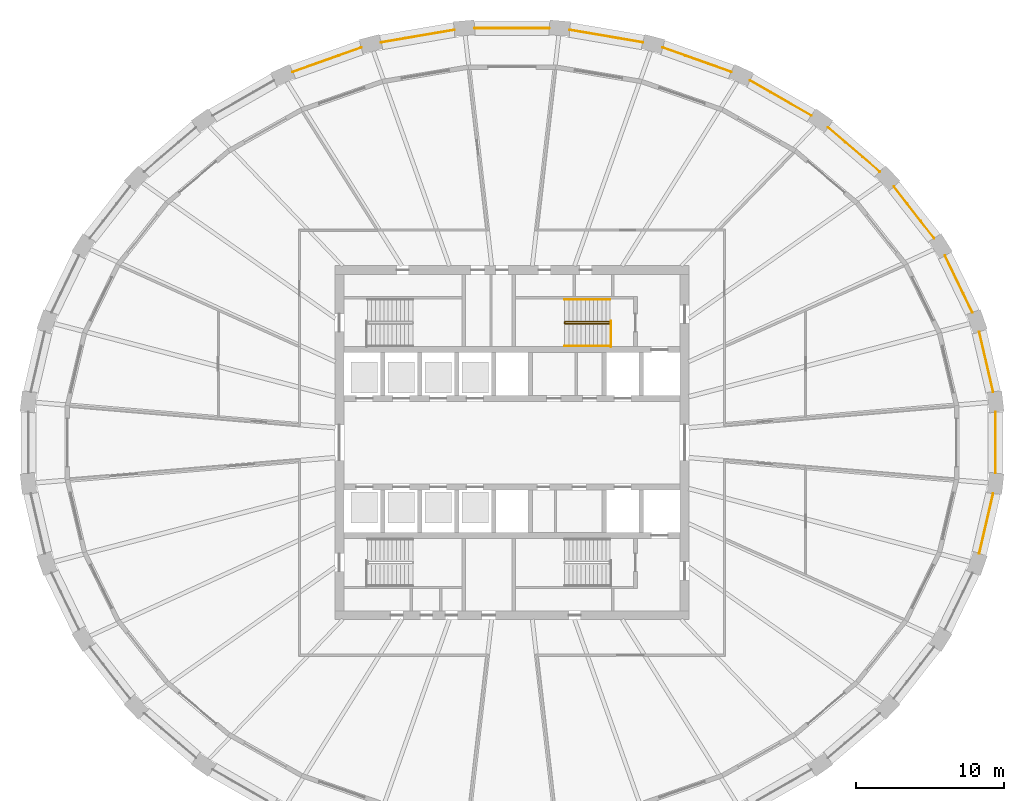
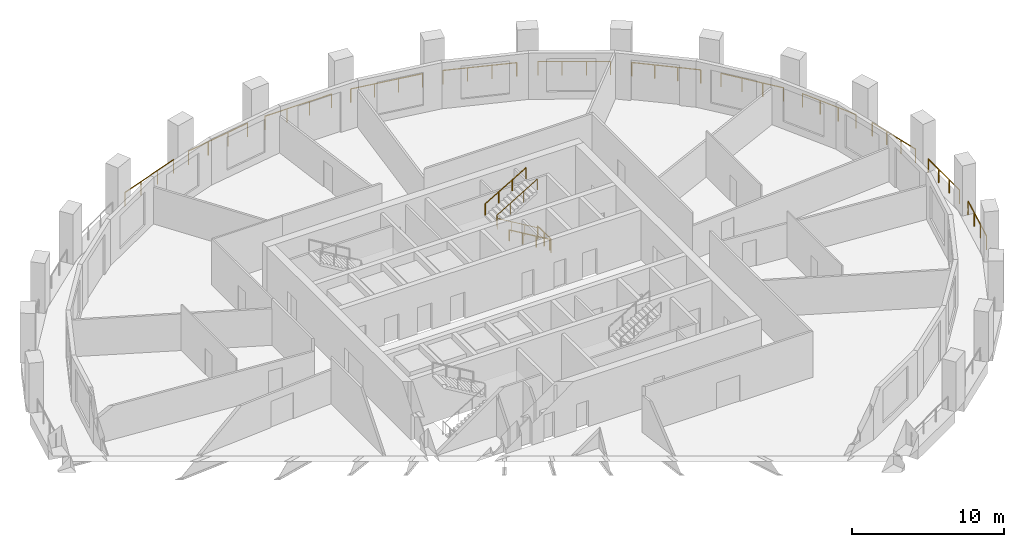
# One storey, part 9 of 10: 16 railings.
"""IFC4 building model written with IfcOpenShell, lengths in metres."""

from ifc_helpers import new_model, si_unit, direction, frame, origin, origin_2d, place, context, subcontext, project, spatial, circle, extrude, material, type_object, element, save


model = new_model("IFC4")

# Units and contexts
model_context = context("Model", 3, precision=1e-05, world=origin(), true_north=direction((0.0, 1.0)))
body_context = subcontext(model_context, "Body", "Model", "MODEL_VIEW")
ifc_project = project(units=[si_unit("LENGTHUNIT", "METRE"), si_unit("AREAUNIT", "SQUARE_METRE"), si_unit("VOLUMEUNIT", "CUBIC_METRE"), si_unit("PLANEANGLEUNIT", "RADIAN"), si_unit("MASSUNIT", "GRAM", prefix="KILO")], contexts=[model_context])

# Site, building, storey
site_placement = place(None, origin())
site = spatial("IfcSite", under=ifc_project, at=site_placement, CompositionType="ELEMENT")
building_placement = place(site_placement, origin())
building = spatial("IfcBuilding", under=site, at=building_placement, Name="Halqa Exchange Tower", CompositionType="ELEMENT")
storey_placement = place(building_placement, frame((0.0, 0.0, 182.89990234375)))
storey = spatial("IfcBuildingStorey", under=building, at=storey_placement, Name="L41", CompositionType="ELEMENT", Elevation=182.89990234375)

# Railings
ifc_material = material(Name="Stainless steel", Category="steel")
railing_type_1 = type_object("IfcRailingType", Name="Guard 1100 stainless steel", PredefinedType="GUARDRAIL", material=ifc_material)
railing_1_placement = place(storey_placement, frame((32.6044921875, 3.44775390625, 0.0)))
element("IfcRailing", 1, at=railing_1_placement, inside=storey, type_object=railing_type_1, Name="Loggia guard 1", PredefinedType="GUARDRAIL", context=body_context, shape_type="SweptSolid", body=[
    extrude(circle(Radius=0.02392578125, at=origin_2d()), frame((0.0, 0.0, 1.076171875), z_axis=(-0.22612077851, 0.974099272932, 0.0), x_axis=(-0.974099272932, -0.22612077851, 0.0)), (0.0, 0.0, 1.0), 4.169677734375),
    extrude(circle(Radius=0.02099609375, at=origin_2d()), origin(), (0.0, 0.0, 1.0), 1.052001953125),
    extrude(circle(Radius=0.02099609375, at=origin_2d()), frame((-0.314208984375, 1.35400390625, 0.0)), (0.0, 0.0, 1.0), 1.052001953125),
    extrude(circle(Radius=0.02099609375, at=origin_2d()), frame((-0.628662109375, 2.707763671875, 0.0)), (0.0, 0.0, 1.0), 1.052001953125),
    extrude(circle(Radius=0.02099609375, at=origin_2d()), frame((-0.94287109375, 4.061767578125, 0.0)), (0.0, 0.0, 1.0), 1.052001953125),
])
railing_2_placement = place(storey_placement, frame((31.198974609375, 8.821533203125, 0.0)))
element("IfcRailing", 2, at=railing_2_placement, inside=storey, type_object=railing_type_1, Name="Loggia guard 2", PredefinedType="GUARDRAIL", context=body_context, shape_type="SweptSolid", body=[
    extrude(circle(Radius=0.02392578125, at=origin_2d()), frame((0.0, 0.0, 1.076171875), z_axis=(-0.435114663921, 0.900375049211, 0.0), x_axis=(-0.900375049211, -0.435114663921, 0.0)), (0.0, 0.0, 1.0), 4.276123046875),
    extrude(circle(Radius=0.02099609375, at=origin_2d()), origin(), (0.0, 0.0, 1.0), 1.052001953125),
    extrude(circle(Radius=0.02099609375, at=origin_2d()), frame((-0.6201171875, 1.283447265625, 0.0)), (0.0, 0.0, 1.0), 1.052001953125),
    extrude(circle(Radius=0.02099609375, at=origin_2d()), frame((-1.240478515625, 2.566650390625, 0.0)), (0.0, 0.0, 1.0), 1.052001953125),
    extrude(circle(Radius=0.02099609375, at=origin_2d()), frame((-1.860595703125, 3.85009765625, 0.0)), (0.0, 0.0, 1.0), 1.052001953125),
])
railing_3_placement = place(storey_placement, frame((28.603515625, 13.85400390625, 0.0)))
element("IfcRailing", 3, at=railing_3_placement, inside=storey, type_object=railing_type_1, Name="Loggia guard 3", PredefinedType="GUARDRAIL", context=body_context, shape_type="SweptSolid", body=[
    extrude(circle(Radius=0.02392578125, at=origin_2d()), frame((0.0, 0.0, 1.076171875), z_axis=(-0.614783111341, 0.788696219092, 0.0), x_axis=(-0.788696219092, -0.614783111341, 0.0)), (0.0, 0.0, 1.0), 4.431884765625),
    extrude(circle(Radius=0.02099609375, at=origin_2d()), origin(), (0.0, 0.0, 1.0), 1.052001953125),
    extrude(circle(Radius=0.02099609375, at=origin_2d()), frame((-0.908203125, 1.1650390625, 0.0)), (0.0, 0.0, 1.0), 1.052001953125),
    extrude(circle(Radius=0.02099609375, at=origin_2d()), frame((-1.81640625, 2.330322265625, 0.0)), (0.0, 0.0, 1.0), 1.052001953125),
    extrude(circle(Radius=0.02099609375, at=origin_2d()), frame((-2.724609375, 3.495361328125, 0.0)), (0.0, 0.0, 1.0), 1.052001953125),
])
railing_4_placement = place(storey_placement, frame((24.9169921875, 18.35693359375, 0.0)))
element("IfcRailing", 4, at=railing_4_placement, inside=storey, type_object=railing_type_1, Name="Loggia guard 4", PredefinedType="GUARDRAIL", context=body_context, shape_type="SweptSolid", body=[
    extrude(circle(Radius=0.02392578125, at=origin_2d()), frame((0.0, 0.0, 1.076171875), z_axis=(-0.759249126509, 0.650800095187, 0.0), x_axis=(-0.650800095187, -0.759249126509, 0.0)), (0.0, 0.0, 1.0), 4.6103515625),
    extrude(circle(Radius=0.02099609375, at=origin_2d()), origin(), (0.0, 0.0, 1.0), 1.052001953125),
    extrude(circle(Radius=0.02099609375, at=origin_2d()), frame((-1.166748046875, 1.000244140625, 0.0)), (0.0, 0.0, 1.0), 1.052001953125),
    extrude(circle(Radius=0.02099609375, at=origin_2d()), frame((-2.333740234375, 2.000244140625, 0.0)), (0.0, 0.0, 1.0), 1.052001953125),
    extrude(circle(Radius=0.02099609375, at=origin_2d()), frame((-3.50048828125, 3.00048828125, 0.0)), (0.0, 0.0, 1.0), 1.052001953125),
])
railing_5_placement = place(storey_placement, frame((20.277587890625, 22.160888671875, 0.0)))
element("IfcRailing", 5, at=railing_5_placement, inside=storey, type_object=railing_type_1, Name="Loggia guard 5", PredefinedType="GUARDRAIL", context=body_context, shape_type="SweptSolid", body=[
    extrude(circle(Radius=0.02392578125, at=origin_2d()), frame((0.0, 0.0, 1.076171875), z_axis=(-0.867793681236, 0.496924669148, 0.0), x_axis=(-0.496924669148, -0.867793681236, 0.0)), (0.0, 0.0, 1.0), 4.783935546875),
    extrude(circle(Radius=0.02099609375, at=origin_2d()), origin(), (0.0, 0.0, 1.0), 1.052001953125),
    extrude(circle(Radius=0.02099609375, at=origin_2d()), frame((-1.3837890625, 0.79248046875, 0.0)), (0.0, 0.0, 1.0), 1.052001953125),
    extrude(circle(Radius=0.02099609375, at=origin_2d()), frame((-2.767578125, 1.584716796875, 0.0)), (0.0, 0.0, 1.0), 1.052001953125),
    extrude(circle(Radius=0.02099609375, at=origin_2d()), frame((-4.1513671875, 2.377197265625, 0.0)), (0.0, 0.0, 1.0), 1.052001953125),
])
railing_6_placement = place(storey_placement, frame((14.859130859375, 25.120361328125, 0.0)))
element("IfcRailing", 6, at=railing_6_placement, inside=storey, type_object=railing_type_1, Name="Loggia guard 6", PredefinedType="GUARDRAIL", context=body_context, shape_type="SweptSolid", body=[
    extrude(circle(Radius=0.02392578125, at=origin_2d()), frame((0.0, 0.0, 1.076171875), z_axis=(-0.94236475605, 0.334587307822, 0.0), x_axis=(-0.334587307822, -0.94236475605, 0.0)), (0.0, 0.0, 1.0), 4.9267578125),
    extrude(circle(Radius=0.02099609375, at=origin_2d()), origin(), (0.0, 0.0, 1.0), 1.052001953125),
    extrude(circle(Radius=0.02099609375, at=origin_2d()), frame((-1.547607421875, 0.549560546875, 0.0)), (0.0, 0.0, 1.0), 1.052001953125),
    extrude(circle(Radius=0.02099609375, at=origin_2d()), frame((-3.09521484375, 1.098876953125, 0.0)), (0.0, 0.0, 1.0), 1.052001953125),
    extrude(circle(Radius=0.02099609375, at=origin_2d()), frame((-4.642822265625, 1.6484375, 0.0)), (0.0, 0.0, 1.0), 1.052001953125),
])
railing_7_placement = place(storey_placement, frame((8.866455078125, 27.12060546875, 0.0)))
element("IfcRailing", 7, at=railing_7_placement, inside=storey, type_object=railing_type_1, Name="Loggia guard 7", PredefinedType="GUARDRAIL", context=body_context, shape_type="SweptSolid", body=[
    extrude(circle(Radius=0.02392578125, at=origin_2d()), frame((0.0, 0.0, 1.076171875), z_axis=(-0.985772013082, 0.16808788839, 0.0), x_axis=(-0.16808788839, -0.985772013082, 0.0)), (0.0, 0.0, 1.0), 5.021240234375),
    extrude(circle(Radius=0.02099609375, at=origin_2d()), origin(), (0.0, 0.0, 1.0), 1.052001953125),
    extrude(circle(Radius=0.02099609375, at=origin_2d()), frame((-1.64990234375, 0.28125, 0.0)), (0.0, 0.0, 1.0), 1.052001953125),
    extrude(circle(Radius=0.02099609375, at=origin_2d()), frame((-3.2998046875, 0.562744140625, 0.0)), (0.0, 0.0, 1.0), 1.052001953125),
    extrude(circle(Radius=0.02099609375, at=origin_2d()), frame((-4.94970703125, 0.843994140625, 0.0)), (0.0, 0.0, 1.0), 1.052001953125),
])
railing_8_placement = place(storey_placement, frame((2.52685546875, 28.082275390625, 0.0)))
element("IfcRailing", 8, at=railing_8_placement, inside=storey, type_object=railing_type_1, Name="Loggia guard 8", PredefinedType="GUARDRAIL", context=body_context, shape_type="SweptSolid", body=[
    extrude(circle(Radius=0.02392578125, at=origin_2d()), frame((0.0, 0.0, 1.076171875), z_axis=(-1.0, 0.0, 0.0), x_axis=(0.0, -1.0, 0.0)), (0.0, 0.0, 1.0), 5.0537109375),
    extrude(circle(Radius=0.02099609375, at=origin_2d()), origin(), (0.0, 0.0, 1.0), 1.052001953125),
    extrude(circle(Radius=0.02099609375, at=origin_2d()), frame((-1.6845703125, 0.0, 0.0)), (0.0, 0.0, 1.0), 1.052001953125),
    extrude(circle(Radius=0.02099609375, at=origin_2d()), frame((-3.369140625, 0.0, 0.0)), (0.0, 0.0, 1.0), 1.052001953125),
    extrude(circle(Radius=0.02099609375, at=origin_2d()), frame((-5.0537109375, 0.0, 0.0)), (0.0, 0.0, 1.0), 1.052001953125),
])
railing_9_placement = place(storey_placement, frame((-3.916748046875, 27.964599609375, 0.0)))
element("IfcRailing", 9, at=railing_9_placement, inside=storey, type_object=railing_type_1, Name="Loggia guard 9", PredefinedType="GUARDRAIL", context=body_context, shape_type="SweptSolid", body=[
    extrude(circle(Radius=0.02392578125, at=origin_2d()), frame((0.0, 0.0, 1.076171875), z_axis=(-0.985772013082, -0.16808788839, 0.0), x_axis=(0.16808788839, -0.985772013082, 0.0)), (0.0, 0.0, 1.0), 5.021240234375),
    extrude(circle(Radius=0.02099609375, at=origin_2d()), origin(), (0.0, 0.0, 1.0), 1.052001953125),
    extrude(circle(Radius=0.02099609375, at=origin_2d()), frame((-1.64990234375, -0.28125, 0.0)), (0.0, 0.0, 1.0), 1.052001953125),
    extrude(circle(Radius=0.02099609375, at=origin_2d()), frame((-3.2998046875, -0.562744140625, 0.0)), (0.0, 0.0, 1.0), 1.052001953125),
    extrude(circle(Radius=0.02099609375, at=origin_2d()), frame((-4.94970703125, -0.843994140625, 0.0)), (0.0, 0.0, 1.0), 1.052001953125),
])
railing_10_placement = place(storey_placement, frame((-10.21630859375, 26.768798828125, 0.0)))
element("IfcRailing", 10, at=railing_10_placement, inside=storey, type_object=railing_type_1, Name="Loggia guard 10", PredefinedType="GUARDRAIL", context=body_context, shape_type="SweptSolid", body=[
    extrude(circle(Radius=0.02392578125, at=origin_2d()), frame((0.0, 0.0, 1.076171875), z_axis=(-0.94236475605, -0.334587307822, 0.0), x_axis=(0.334587307822, -0.94236475605, 0.0)), (0.0, 0.0, 1.0), 4.9267578125),
    extrude(circle(Radius=0.02099609375, at=origin_2d()), origin(), (0.0, 0.0, 1.0), 1.052001953125),
    extrude(circle(Radius=0.02099609375, at=origin_2d()), frame((-1.547607421875, -0.549560546875, 0.0)), (0.0, 0.0, 1.0), 1.052001953125),
    extrude(circle(Radius=0.02099609375, at=origin_2d()), frame((-3.09521484375, -1.098876953125, 0.0)), (0.0, 0.0, 1.0), 1.052001953125),
    extrude(circle(Radius=0.02099609375, at=origin_2d()), frame((-4.642822265625, -1.6484375, 0.0)), (0.0, 0.0, 1.0), 1.052001953125),
])
railing_11_placement = place(storey_placement, frame((31.66162109375, -7.509521484375, 0.0)))
element("IfcRailing", 11, at=railing_11_placement, inside=storey, type_object=railing_type_1, Name="Loggia guard 31", PredefinedType="GUARDRAIL", context=body_context, shape_type="SweptSolid", body=[
    extrude(circle(Radius=0.02392578125, at=origin_2d()), frame((0.0, 0.0, 1.076171875), z_axis=(0.22612077851, 0.974099272932, 0.0), x_axis=(-0.974099272932, 0.22612077851, 0.0)), (0.0, 0.0, 1.0), 4.169677734375),
    extrude(circle(Radius=0.02099609375, at=origin_2d()), origin(), (0.0, 0.0, 1.0), 1.052001953125),
    extrude(circle(Radius=0.02099609375, at=origin_2d()), frame((0.314208984375, 1.35400390625, 0.0)), (0.0, 0.0, 1.0), 1.052001953125),
    extrude(circle(Radius=0.02099609375, at=origin_2d()), frame((0.628662109375, 2.707763671875, 0.0)), (0.0, 0.0, 1.0), 1.052001953125),
    extrude(circle(Radius=0.02099609375, at=origin_2d()), frame((0.94287109375, 4.061767578125, 0.0)), (0.0, 0.0, 1.0), 1.052001953125),
])
railing_12_placement = place(storey_placement, frame((32.7626953125, -2.06591796875, 0.0)))
element("IfcRailing", 12, at=railing_12_placement, inside=storey, type_object=railing_type_1, Name="Loggia guard 32", PredefinedType="GUARDRAIL", context=body_context, shape_type="SweptSolid", body=[
    extrude(circle(Radius=0.02392578125, at=origin_2d()), frame((0.0, 0.0, 1.076171875), z_axis=(0.0, 1.0, 0.0), x_axis=(-1.0, 0.0, 0.0)), (0.0, 0.0, 1.0), 4.1318359375),
    extrude(circle(Radius=0.02099609375, at=origin_2d()), origin(), (0.0, 0.0, 1.0), 1.052001953125),
    extrude(circle(Radius=0.02099609375, at=origin_2d()), frame((0.0, 1.377197265625, 0.0)), (0.0, 0.0, 1.0), 1.052001953125),
    extrude(circle(Radius=0.02099609375, at=origin_2d()), frame((0.0, 2.754638671875, 0.0)), (0.0, 0.0, 1.0), 1.052001953125),
    extrude(circle(Radius=0.02099609375, at=origin_2d()), frame((0.0, 4.1318359375, 0.0)), (0.0, 0.0, 1.0), 1.052001953125),
])
railing_type_2 = type_object("IfcRailingType", Name="Stair handrail 900", PredefinedType="HANDRAIL", material=ifc_material)
railing_13_placement = place(storey_placement, frame((6.64990234375, 8.06005859375, 0.166748046875)))
element("IfcRailing", 13, at=railing_13_placement, inside=storey, type_object=railing_type_2, Name="Handrail ST2.1", PredefinedType="HANDRAIL", context=body_context, shape_type="SweptSolid", body=[
    extrude(circle(Radius=0.02392578125, at=origin_2d()), frame((0.0, 0.0, 0.8759765625), z_axis=(-0.859290745958, 0.0, 0.51148745235), x_axis=(0.0, -1.0, 0.0)), (0.0, 0.0, 1.0), 3.584228515625),
    extrude(circle(Radius=0.02392578125, at=origin_2d()), frame((-3.079833984375, 0.0, 2.708984375), z_axis=(0.0, 0.614500226555, 0.788916644243), x_axis=(-1.0, 0.0, 0.0)), (0.0, 0.0, 1.0), 0.21142578125),
    extrude(circle(Radius=0.02392578125, at=origin_2d()), frame((-3.079833984375, 0.1298828125, 2.8759765625), z_axis=(0.859290745958, 0.0, 0.51148745235), x_axis=(0.0, 1.0, 0.0)), (0.0, 0.0, 1.0), 3.584228515625),
    extrude(circle(Radius=0.02099609375, at=origin_2d()), origin(), (0.0, 0.0, 1.0), 0.851806640625),
    extrude(circle(Radius=0.02099609375, at=origin_2d()), frame((-1.026611328125, 0.0, 0.611083984375)), (0.0, 0.0, 1.0), 0.851806640625),
    extrude(circle(Radius=0.02099609375, at=origin_2d()), frame((-2.05322265625, 0.0, 1.22216796875)), (0.0, 0.0, 1.0), 0.851806640625),
    extrude(circle(Radius=0.02099609375, at=origin_2d()), frame((-3.079833984375, 0.0, 1.833251953125)), (0.0, 0.0, 1.0), 0.851806640625),
    extrude(circle(Radius=0.02099609375, at=origin_2d()), frame((-3.079833984375, 0.1298828125, 2.0)), (0.0, 0.0, 1.0), 0.851806640625),
    extrude(circle(Radius=0.02099609375, at=origin_2d()), frame((-2.05322265625, 0.1298828125, 2.611083984375)), (0.0, 0.0, 1.0), 0.851806640625),
    extrude(circle(Radius=0.02099609375, at=origin_2d()), frame((-1.026611328125, 0.1298828125, 3.22216796875)), (0.0, 0.0, 1.0), 0.851806640625),
    extrude(circle(Radius=0.02099609375, at=origin_2d()), frame((0.0, 0.1298828125, 3.833251953125)), (0.0, 0.0, 1.0), 0.851806640625),
])
railing_14_placement = place(storey_placement, frame((6.64990234375, 6.550048828125, 0.166748046875)))
element("IfcRailing", 14, at=railing_14_placement, inside=storey, type_object=railing_type_2, Name="Handrail ST2.2", PredefinedType="HANDRAIL", context=body_context, shape_type="SweptSolid", body=[
    extrude(circle(Radius=0.02392578125, at=origin_2d()), frame((0.0, 0.0, 0.8759765625), z_axis=(-0.859290745958, 0.0, 0.51148745235), x_axis=(0.0, -1.0, 0.0)), (0.0, 0.0, 1.0), 3.584228515625),
    extrude(circle(Radius=0.02099609375, at=origin_2d()), origin(), (0.0, 0.0, 1.0), 0.851806640625),
    extrude(circle(Radius=0.02099609375, at=origin_2d()), frame((-1.026611328125, 0.0, 0.611083984375)), (0.0, 0.0, 1.0), 0.851806640625),
    extrude(circle(Radius=0.02099609375, at=origin_2d()), frame((-2.05322265625, 0.0, 1.22216796875)), (0.0, 0.0, 1.0), 0.851806640625),
    extrude(circle(Radius=0.02099609375, at=origin_2d()), frame((-3.079833984375, 0.0, 1.833251953125)), (0.0, 0.0, 1.0), 0.851806640625),
])
railing_15_placement = place(storey_placement, frame((3.570068359375, 9.699951171875, 2.166748046875)))
element("IfcRailing", 15, at=railing_15_placement, inside=storey, type_object=railing_type_2, Name="Handrail ST2.3", PredefinedType="HANDRAIL", context=body_context, shape_type="SweptSolid", body=[
    extrude(circle(Radius=0.02392578125, at=origin_2d()), frame((0.0, 0.0, 0.8759765625), z_axis=(0.859290745958, 0.0, 0.51148745235), x_axis=(0.0, 1.0, 0.0)), (0.0, 0.0, 1.0), 3.584228515625),
    extrude(circle(Radius=0.02099609375, at=origin_2d()), origin(), (0.0, 0.0, 1.0), 0.851806640625),
    extrude(circle(Radius=0.02099609375, at=origin_2d()), frame((1.026611328125, 0.0, 0.611083984375)), (0.0, 0.0, 1.0), 0.851806640625),
    extrude(circle(Radius=0.02099609375, at=origin_2d()), frame((2.05322265625, 0.0, 1.22216796875)), (0.0, 0.0, 1.0), 0.851806640625),
    extrude(circle(Radius=0.02099609375, at=origin_2d()), frame((3.079833984375, 0.0, 1.833251953125)), (0.0, 0.0, 1.0), 0.851806640625),
])
railing_type_3 = type_object("IfcRailingType", Name="Stair well guard 1100", PredefinedType="GUARDRAIL", material=ifc_material)
railing_16_placement = place(storey_placement, frame((6.699951171875, 6.5, 0.0)))
element("IfcRailing", 16, at=railing_16_placement, inside=storey, type_object=railing_type_3, Name="Guard ST2 well", PredefinedType="GUARDRAIL", context=body_context, shape_type="SweptSolid", body=[
    extrude(circle(Radius=0.02392578125, at=origin_2d()), frame((0.0, 0.0, 1.076171875), z_axis=(0.0, 1.0, 0.0), x_axis=(-1.0, 0.0, 0.0)), (0.0, 0.0, 1.0), 1.75),
    extrude(circle(Radius=0.02099609375, at=origin_2d()), origin(), (0.0, 0.0, 1.0), 1.052001953125),
    extrude(circle(Radius=0.02099609375, at=origin_2d()), frame((0.0, 0.875, 0.0)), (0.0, 0.0, 1.0), 1.052001953125),
    extrude(circle(Radius=0.02099609375, at=origin_2d()), frame((0.0, 1.75, 0.0)), (0.0, 0.0, 1.0), 1.052001953125),
])

save(model, "model.ifc")
